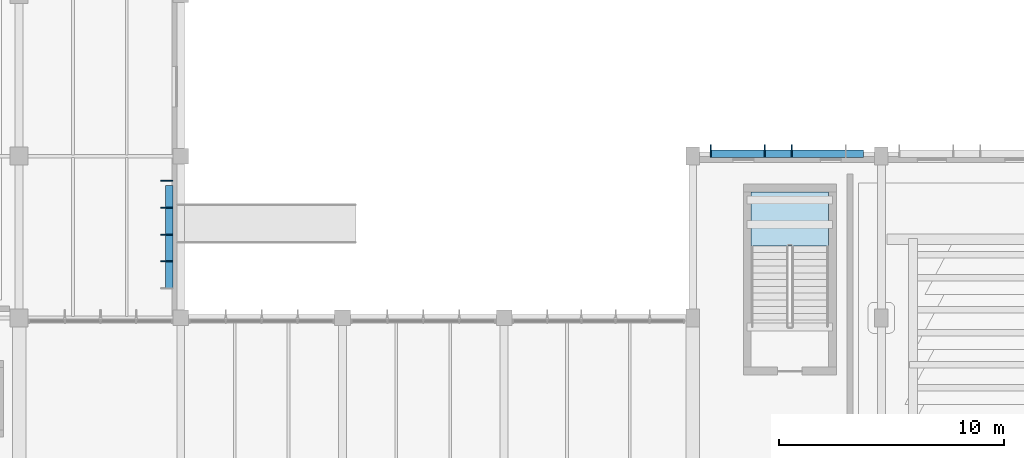
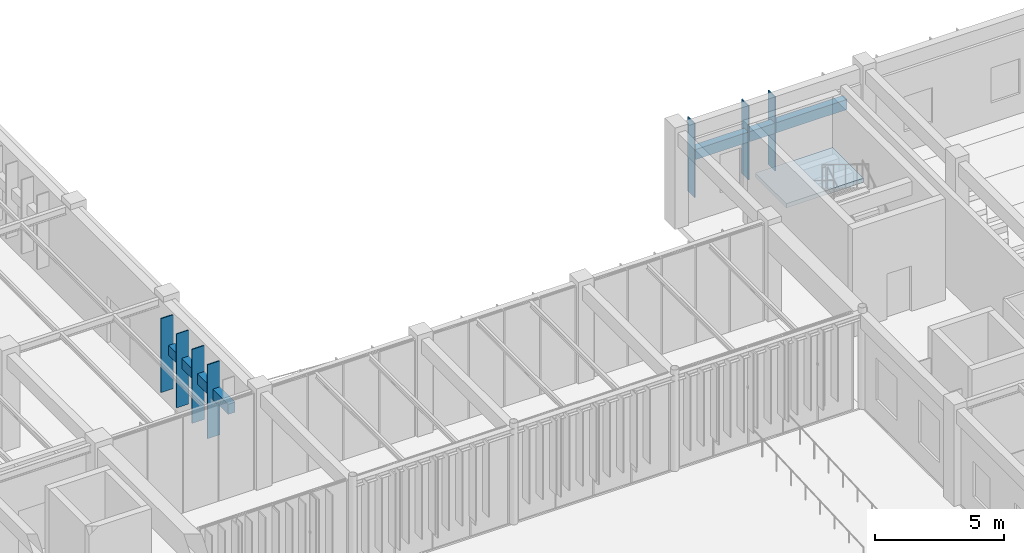
# One storey, part 21 of 122: 9 plates, 1 slab, 1 element without a shape of its own.
"""IFC4 building model written with IfcOpenShell, lengths in metres."""

from ifc_helpers import new_model, si_unit, direction, frame, origin, origin_2d, place, context, subcontext, project, spatial, polyline, rectangle, outline, extrude, material, layer, layer_set, type_object, element, aggregate, save


model = new_model("IFC4")

# Units and contexts
model_context = context("Model", 3, precision=1e-05, world=origin(), true_north=direction((0.0, 1.0)))
body_context = subcontext(model_context, "Body", "Model", "MODEL_VIEW")
ifc_project = project(units=[si_unit("LENGTHUNIT", "METRE"), si_unit("AREAUNIT", "SQUARE_METRE"), si_unit("VOLUMEUNIT", "CUBIC_METRE"), si_unit("PLANEANGLEUNIT", "RADIAN"), si_unit("MASSUNIT", "GRAM", prefix="KILO")], contexts=[model_context])

# Site, building, storey
site_placement = place(None, origin())
site = spatial("IfcSite", under=ifc_project, at=site_placement, CompositionType="ELEMENT")
building_placement = place(site_placement, origin())
building = spatial("IfcBuilding", under=site, at=building_placement, Name="Tazoul Stagehouse", CompositionType="ELEMENT")
storey_placement = place(building_placement, origin())
storey = spatial("IfcBuildingStorey", under=building, at=storey_placement, Name="L00", CompositionType="ELEMENT", Elevation=0.0)

# Stair, slab
ifc_material_1 = material(Name="Concrete C40/50", Category="concrete")
stair_type = type_object("IfcStairType", Name="Protected Core Dogleg Stair 4800", PredefinedType="HALF_TURN_STAIR", material=ifc_material_1)
stair_placement = place(storey_placement, origin())
stair = element("IfcStair", 1, at=stair_placement, inside=storey, type_object=stair_type, Name="L00 Core Escape Stair ST-07", PredefinedType="HALF_TURN_STAIR")
ifc_layer_1 = layer(ifc_material_1, 0.179931640625, Name="Concrete C40/50")
ifc_layer_set_1 = layer_set([ifc_layer_1], Name="Concrete C40/50")
slab_type = type_object("IfcSlabType", Name="Core Half-Landing Slab 180", PredefinedType="LANDING", material=ifc_layer_set_1)
slab_placement = place(storey_placement, frame((0.0, 0.0, 2.199951171875)))
slab = element("IfcSlab", 2, at=slab_placement, type_object=slab_type, Name="ST-07 landing 1", PredefinedType="LANDING", context=body_context, shape_type="SweptSolid", body=[
    extrude(outline(polyline([(131.449951171875, 55.0), (131.449951171875, 57.39990234375), (128.0, 57.39990234375), (128.0, 55.0), (131.449951171875, 55.0)])), origin(), (0.0, 0.0, 1.0), 0.199951171875),
])
aggregate(stair, [slab])

# Plates
ifc_material_2 = material(Name="Anodised Bronze Aluminium 6063-T6", Category="aluminium")
ifc_layer_2 = layer(ifc_material_2, 0.550048828125, Name="Anodised Bronze Aluminium 6063-T6")
ifc_layer_set_2 = layer_set([ifc_layer_2], Name="Anodised Bronze Aluminium 6063-T6")
plate_type_1 = type_object("IfcPlateType", Name="Parametric Terracotta-Bronze Solar Fin 550x3500", PredefinedType="USERDEFINED", material=ifc_layer_set_2)
for number, where, z_axis, x_axis, name in (
    (3, (126.205078125, 59.22509765625, 0.919921875), (0.0, 0.0, 1.0), (1.0, 0.0, 0.0), "L00 Parametric Solar Fin SFN-21 (WALL-V4-N-L00-S1-01)"),
    (4, (128.60498046875, 59.22509765625, 0.919921875), (0.0, 0.0, 1.0), (1.0, 0.0, 0.0), "L00 Parametric Solar Fin SFN-21 (WALL-V4-N-L00-S1-03)"),
    (5, (129.804931640625, 59.22509765625, 0.919921875), (0.0, 0.0, 1.0), (1.0, 0.0, 0.0), "L00 Parametric Solar Fin SFN-21 (WALL-V4-N-L00-S1-04)"),
    (6, (101.97509765625, 57.909912109375, 0.919921875), (0.0, 0.0, 1.0), (0.0, -1.0, 0.0), "L00 Parametric Solar Fin SFN-21 (WALL-V1-E-L00-S1-B5-01)"),
    (7, (101.97509765625, 56.7099609375, 0.919921875), (0.0, 0.0, 1.0), (0.0, -1.0, 0.0), "L00 Parametric Solar Fin SFN-21 (WALL-V1-E-L00-S1-B5-02)"),
    (8, (101.97509765625, 55.510009765625, 0.919921875), (0.0, 0.0, 1.0), (0.0, -1.0, 0.0), "L00 Parametric Solar Fin SFN-21 (WALL-V1-E-L00-S1-B5-03)"),
    (9, (101.97509765625, 54.31005859375, 0.919921875), (0.0, 0.0, 1.0), (0.0, -1.0, 0.0), "L00 Parametric Solar Fin SFN-21 (WALL-V1-E-L00-S1-B5-04)"),
):
    element("IfcPlate", number, at=place(storey_placement, frame(where, z_axis=z_axis, x_axis=x_axis)), inside=storey, type_object=plate_type_1, Name=name, ObjectType="SOLAR FIN", PredefinedType="USERDEFINED", context=body_context, shape_type="SweptSolid", body=[
        extrude(rectangle(XDim=0.044921875, YDim=0.550048828125, at=origin_2d()), origin(), (0.0, 0.0, 1.0), 3.5),
    ])
ifc_layer_3 = layer(ifc_material_2, 0.320068359375, Name="Anodised Bronze Aluminium 6063-T6")
ifc_layer_set_3 = layer_set([ifc_layer_3], Name="Anodised Bronze Aluminium 6063-T6")
plate_type_2 = type_object("IfcPlateType", Name="Sculpted Facade Spandrel Ribbon 4600x480", PredefinedType="USERDEFINED", material=ifc_layer_set_3)
plate_1_placement = place(storey_placement, frame((102.090087890625, 55.39990234375, 2.7109375), z_axis=(0.0, 0.0, 1.0), x_axis=(0.0, -1.0, 0.0)))
element("IfcPlate", 10, at=plate_1_placement, inside=storey, type_object=plate_type_2, Name="L00 Sculpted Facade Spandrel Ribbon FRB-06 (WALL-V1-E-L00-S1-B5)", ObjectType="FACADE RIBBON", PredefinedType="USERDEFINED", context=body_context, shape_type="SweptSolid", body=[
    extrude(rectangle(XDim=4.60009765625, YDim=0.320068359375, at=origin_2d()), origin(), (0.0, 0.0, 1.0), 0.47998046875),
])
ifc_layer_4 = layer(ifc_material_2, 0.320068359375, Name="Anodised Bronze Aluminium 6063-T6")
ifc_layer_set_4 = layer_set([ifc_layer_4], Name="Anodised Bronze Aluminium 6063-T6")
plate_type_3 = type_object("IfcPlateType", Name="Sculpted Facade Spandrel Ribbon 6800x480", PredefinedType="USERDEFINED", material=ifc_layer_set_4)
plate_2_placement = place(storey_placement, frame((129.60009765625, 59.110107421875, 2.7109375), z_axis=(0.0, 0.0, 1.0), x_axis=(1.0, 0.0, 0.0)))
element("IfcPlate", 11, at=plate_2_placement, inside=storey, type_object=plate_type_3, Name="L00 Sculpted Facade Spandrel Ribbon FRB-10 (WALL-V4-N-L00-S1)", ObjectType="FACADE RIBBON", PredefinedType="USERDEFINED", context=body_context, shape_type="SweptSolid", body=[
    extrude(rectangle(XDim=6.800048828125, YDim=0.320068359375, at=origin_2d()), origin(), (0.0, 0.0, 1.0), 0.47998046875),
])

save(model, "model.ifc")
